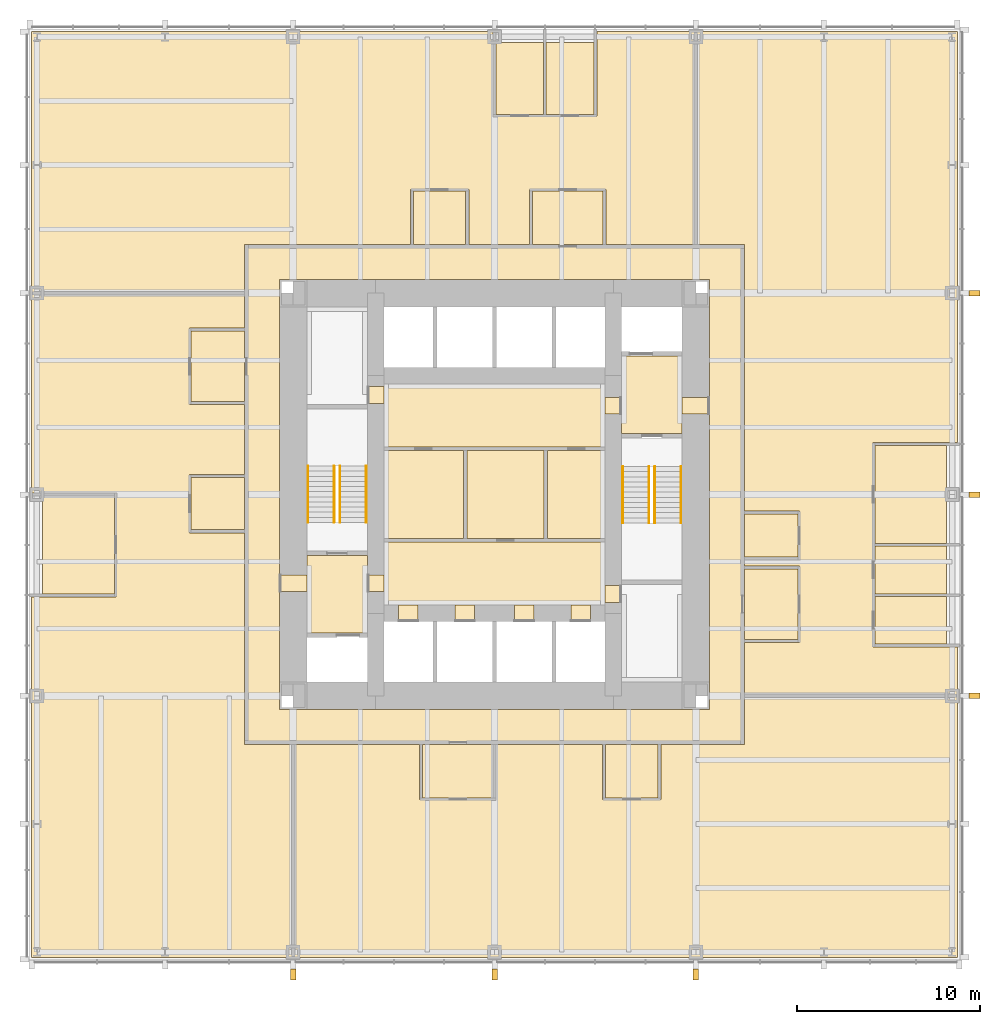
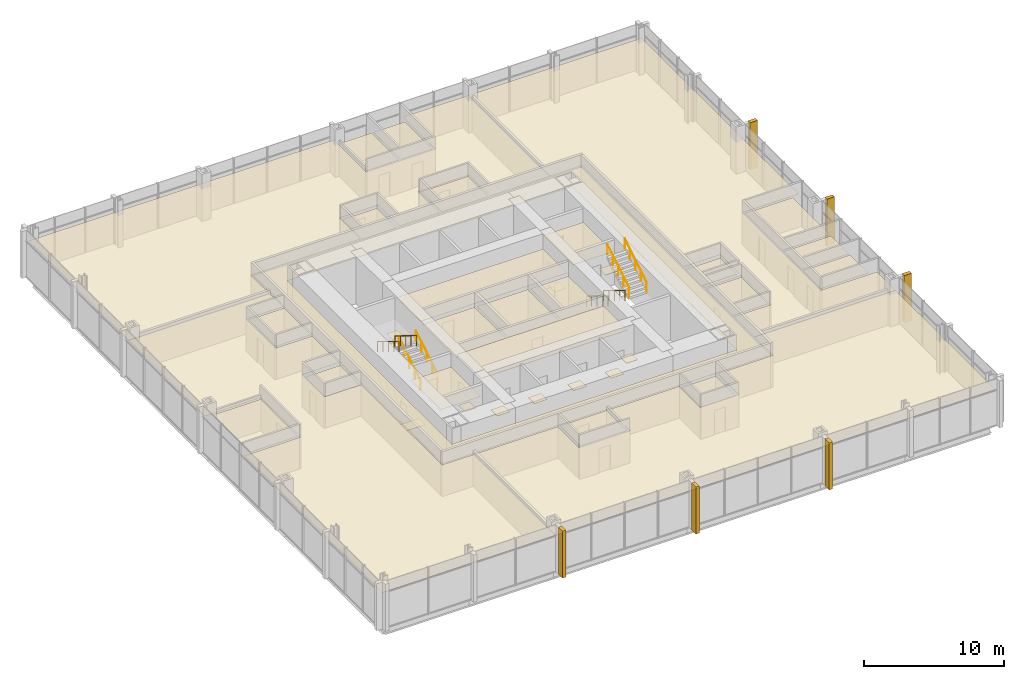
# One storey, part 12 of 12: 42 coverings, 8 railings.
"""IFC4 building model written with IfcOpenShell, lengths in metres."""

from ifc_helpers import new_model, si_unit, direction, frame, origin, origin_2d, place, context, subcontext, project, spatial, polyline, rectangle, circle, outline, extrude, material, layer, layer_set, type_object, element, save


model = new_model("IFC4")

# Units and contexts
model_context = context("Model", 3, precision=1e-05, world=origin(), true_north=direction((0.0, 1.0)))
body_context = subcontext(model_context, "Body", "Model", "MODEL_VIEW")
ifc_project = project(units=[si_unit("LENGTHUNIT", "METRE"), si_unit("AREAUNIT", "SQUARE_METRE"), si_unit("VOLUMEUNIT", "CUBIC_METRE"), si_unit("PLANEANGLEUNIT", "RADIAN"), si_unit("MASSUNIT", "GRAM", prefix="KILO")], contexts=[model_context])

# Site, building, storey
site_placement = place(None, origin())
site = spatial("IfcSite", under=ifc_project, at=site_placement, CompositionType="ELEMENT")
building_placement = place(site_placement, origin())
building = spatial("IfcBuilding", under=site, at=building_placement, Name="Trevanion Tower", CompositionType="ELEMENT")
storey_placement = place(building_placement, frame((0.0, 0.0, 20.10009765625)))
storey = spatial("IfcBuildingStorey", under=building, at=storey_placement, Name="L04", CompositionType="ELEMENT", Elevation=20.10009765625)

# Coverings
ifc_material_1 = material(Name="Fibrous plaster coffers on suspended steel grid", Category="steel")
ifc_layer_1 = layer(ifc_material_1, 0.050048828125)
ifc_layer_set_1 = layer_set([ifc_layer_1], Name="CL1 coffered fibrous plaster ceiling 50")
covering_type_1 = type_object("IfcCoveringType", Name="CL1 coffered fibrous plaster ceiling 50", PredefinedType="CEILING", material=ifc_layer_set_1)
covering_1_placement = place(storey_placement, frame((0.0, 0.0, 3.0)))
element("IfcCovering", 1, at=covering_1_placement, inside=storey, type_object=covering_type_1, Name="CL1 L04-LBS", PredefinedType="CEILING", context=body_context, shape_type="SweptSolid", body=[
    extrude(outline(polyline([(6.050048828125, -6.050048828125), (6.050048828125, -2.60009765625), (-6.050048828125, -2.60009765625), (-6.050048828125, -6.050048828125), (6.050048828125, -6.050048828125)])), origin(), (0.0, 0.0, 1.0), 0.0498046875),
])
ifc_material_2 = material(Name="Mineral fibre acoustic tiles in exposed grid", Category="mineral fibre")
ifc_layer_2 = layer(ifc_material_2, 0.02001953125)
ifc_layer_set_2 = layer_set([ifc_layer_2], Name="CL2 acoustic tile ceiling 20")
covering_type_2 = type_object("IfcCoveringType", Name="CL2 acoustic tile ceiling 20", PredefinedType="CEILING", material=ifc_layer_set_2)
covering_2_placement = place(storey_placement, frame((0.0, 0.0, 2.75)))
element("IfcCovering", 2, at=covering_2_placement, inside=storey, type_object=covering_type_2, Name="CL2 L04-LBN", PredefinedType="CEILING", context=body_context, shape_type="SweptSolid", body=[
    extrude(outline(polyline([(6.050048828125, 2.60009765625), (6.050048828125, 6.050048828125), (-6.050048828125, 6.050048828125), (-6.050048828125, 2.60009765625), (6.050048828125, 2.60009765625)])), origin(), (0.0, 0.0, 1.0), 0.02001953125),
])
covering_3_placement = place(storey_placement, frame((0.0, 0.0, 2.75)))
element("IfcCovering", 3, at=covering_3_placement, inside=storey, type_object=covering_type_2, Name="CL2 L04-CO", PredefinedType="CEILING", context=body_context, shape_type="SweptSolid", body=[
    extrude(outline(polyline([(-13.550048828125, 13.550048828125), (13.550048828125, 13.550048828125), (13.550048828125, -13.550048828125), (-13.550048828125, -13.550048828125), (-13.550048828125, 13.550048828125)]), holes=[polyline([(-11.75, 11.75), (-11.75, -11.75), (11.75, -11.75), (11.75, 11.75), (-11.75, 11.75)])]), origin(), (0.0, 0.0, 1.0), 0.02001953125),
])
covering_4_placement = place(storey_placement, frame((0.0, 0.0, 2.75)))
element("IfcCovering", 4, at=covering_4_placement, inside=storey, type_object=covering_type_2, Name="CL2 L04-OF", PredefinedType="CEILING", context=body_context, shape_type="SweptSolid", body=[
    extrude(outline(polyline([(20.77490234375, -8.175048828125), (20.77490234375, -5.574951171875), (24.699951171875, -5.574951171875), (24.699951171875, -8.175048828125), (20.77490234375, -8.175048828125)])), origin(), (0.0, 0.0, 1.0), 0.02001953125),
])
covering_5_placement = place(storey_placement, frame((0.0, 0.0, 2.75)))
element("IfcCovering", 5, at=covering_5_placement, inside=storey, type_object=covering_type_2, Name="CL2 L04-OF2", PredefinedType="CEILING", context=body_context, shape_type="SweptSolid", body=[
    extrude(outline(polyline([(20.77490234375, -5.425048828125), (20.77490234375, -2.824951171875), (24.699951171875, -2.824951171875), (24.699951171875, -5.425048828125), (20.77490234375, -5.425048828125)])), origin(), (0.0, 0.0, 1.0), 0.02001953125),
])
covering_6_placement = place(storey_placement, frame((0.0, 0.0, 2.75)))
element("IfcCovering", 6, at=covering_6_placement, inside=storey, type_object=covering_type_2, Name="CL2 L04-MR", PredefinedType="CEILING", context=body_context, shape_type="SweptSolid", body=[
    extrude(outline(polyline([(20.77490234375, -2.675048828125), (20.77490234375, 2.675048828125), (24.699951171875, 2.675048828125), (24.699951171875, -2.675048828125), (20.77490234375, -2.675048828125)])), origin(), (0.0, 0.0, 1.0), 0.02001953125),
])
covering_7_placement = place(storey_placement, frame((0.0, 0.0, 2.75)))
element("IfcCovering", 7, at=covering_7_placement, inside=storey, type_object=covering_type_2, Name="CL2 L04-OF3", PredefinedType="CEILING", context=body_context, shape_type="SweptSolid", body=[
    extrude(outline(polyline([(5.425048828125, 20.77490234375), (2.824951171875, 20.77490234375), (2.824951171875, 24.699951171875), (5.425048828125, 24.699951171875), (5.425048828125, 20.77490234375)])), origin(), (0.0, 0.0, 1.0), 0.02001953125),
])
covering_8_placement = place(storey_placement, frame((0.0, 0.0, 2.75)))
element("IfcCovering", 8, at=covering_8_placement, inside=storey, type_object=covering_type_2, Name="CL2 L04-OF4", PredefinedType="CEILING", context=body_context, shape_type="SweptSolid", body=[
    extrude(outline(polyline([(2.675048828125, 20.77490234375), (0.074951171875, 20.77490234375), (0.074951171875, 24.699951171875), (2.675048828125, 24.699951171875), (2.675048828125, 20.77490234375)])), origin(), (0.0, 0.0, 1.0), 0.02001953125),
])
covering_9_placement = place(storey_placement, frame((0.0, 0.0, 2.75)))
element("IfcCovering", 9, at=covering_9_placement, inside=storey, type_object=covering_type_2, Name="CL2 L04-MR2", PredefinedType="CEILING", context=body_context, shape_type="SweptSolid", body=[
    extrude(outline(polyline([(-20.77490234375, -0.074951171875), (-20.77490234375, -5.425048828125), (-24.699951171875, -5.425048828125), (-24.699951171875, -0.074951171875), (-20.77490234375, -0.074951171875)])), origin(), (0.0, 0.0, 1.0), 0.02001953125),
])
covering_10_placement = place(storey_placement, frame((0.0, 0.0, 2.75)))
element("IfcCovering", 10, at=covering_10_placement, inside=storey, type_object=covering_type_2, Name="CL2 L04-RC", PredefinedType="CEILING", context=body_context, shape_type="SweptSolid", body=[
    extrude(outline(polyline([(13.64990234375, -7.925048828125), (13.64990234375, -4.074951171875), (16.574951171875, -4.074951171875), (16.574951171875, -7.925048828125), (13.64990234375, -7.925048828125)])), origin(), (0.0, 0.0, 1.0), 0.02001953125),
])
covering_11_placement = place(storey_placement, frame((0.0, 0.0, 2.75)))
element("IfcCovering", 11, at=covering_11_placement, inside=storey, type_object=covering_type_2, Name="CL2 L04-RC2", PredefinedType="CEILING", context=body_context, shape_type="SweptSolid", body=[
    extrude(outline(polyline([(5.925048828125, 13.64990234375), (2.074951171875, 13.64990234375), (2.074951171875, 16.574951171875), (5.925048828125, 16.574951171875), (5.925048828125, 13.64990234375)])), origin(), (0.0, 0.0, 1.0), 0.02001953125),
])
covering_12_placement = place(storey_placement, frame((0.0, 0.0, 2.75)))
element("IfcCovering", 12, at=covering_12_placement, inside=storey, type_object=covering_type_2, Name="CL2 L04-RC3", PredefinedType="CEILING", context=body_context, shape_type="SweptSolid", body=[
    extrude(outline(polyline([(-13.64990234375, 8.925048828125), (-13.64990234375, 5.074951171875), (-16.574951171875, 5.074951171875), (-16.574951171875, 8.925048828125), (-13.64990234375, 8.925048828125)])), origin(), (0.0, 0.0, 1.0), 0.02001953125),
])
covering_13_placement = place(storey_placement, frame((0.0, 0.0, 2.75)))
element("IfcCovering", 13, at=covering_13_placement, inside=storey, type_object=covering_type_2, Name="CL2 L04-RC4", PredefinedType="CEILING", context=body_context, shape_type="SweptSolid", body=[
    extrude(outline(polyline([(-3.925048828125, -13.64990234375), (-0.074951171875, -13.64990234375), (-0.074951171875, -16.574951171875), (-3.925048828125, -16.574951171875), (-3.925048828125, -13.64990234375)])), origin(), (0.0, 0.0, 1.0), 0.02001953125),
])
covering_14_placement = place(storey_placement, frame((0.0, 0.0, 2.75)))
element("IfcCovering", 14, at=covering_14_placement, inside=storey, type_object=covering_type_2, Name="CL2 L04-OP", PredefinedType="CEILING", context=body_context, shape_type="SweptSolid", body=[
    extrude(outline(polyline([(13.64990234375, -8.094970703125), (16.669921875, -8.094970703125), (16.669921875, -3.905029296875), (13.64990234375, -3.905029296875), (13.64990234375, -3.594970703125), (16.669921875, -3.594970703125), (16.669921875, -0.905029296875), (13.64990234375, -0.905029296875), (13.64990234375, 13.64990234375), (11.0, 13.64990234375), (11.0, 25.300048828125), (25.300048828125, 25.300048828125), (25.300048828125, 2.844970703125), (20.679931640625, 2.844970703125), (20.679931640625, -8.344970703125), (25.300048828125, -8.344970703125), (25.300048828125, -11.0), (13.64990234375, -11.0), (13.64990234375, -8.094970703125)])), origin(), (0.0, 0.0, 1.0), 0.02001953125),
])
covering_15_placement = place(storey_placement, frame((0.0, 0.0, 2.75)))
element("IfcCovering", 15, at=covering_15_placement, inside=storey, type_object=covering_type_2, Name="CL2 L04-OP2", PredefinedType="CEILING", context=body_context, shape_type="SweptSolid", body=[
    extrude(outline(polyline([(6.094970703125, 13.64990234375), (6.094970703125, 16.669921875), (1.905029296875, 16.669921875), (1.905029296875, 13.64990234375), (-1.405029296875, 13.64990234375), (-1.405029296875, 16.669921875), (-4.594970703125, 16.669921875), (-4.594970703125, 13.64990234375), (-13.64990234375, 13.64990234375), (-13.64990234375, 11.0), (-25.300048828125, 11.0), (-25.300048828125, 25.300048828125), (-0.094970703125, 25.300048828125), (-0.094970703125, 20.679931640625), (5.594970703125, 20.679931640625), (5.594970703125, 25.300048828125), (11.0, 25.300048828125), (11.0, 13.64990234375), (6.094970703125, 13.64990234375)])), origin(), (0.0, 0.0, 1.0), 0.02001953125),
])
covering_16_placement = place(storey_placement, frame((0.0, 0.0, 2.75)))
element("IfcCovering", 16, at=covering_16_placement, inside=storey, type_object=covering_type_2, Name="CL2 L04-OP3", PredefinedType="CEILING", context=body_context, shape_type="SweptSolid", body=[
    extrude(outline(polyline([(-13.64990234375, 9.094970703125), (-16.669921875, 9.094970703125), (-16.669921875, 4.905029296875), (-13.64990234375, 4.905029296875), (-13.64990234375, 1.094970703125), (-16.669921875, 1.094970703125), (-16.669921875, -2.094970703125), (-13.64990234375, -2.094970703125), (-13.64990234375, -13.64990234375), (-11.0, -13.64990234375), (-11.0, -25.300048828125), (-25.300048828125, -25.300048828125), (-25.300048828125, -5.594970703125), (-20.679931640625, -5.594970703125), (-20.679931640625, 0.094970703125), (-25.300048828125, 0.094970703125), (-25.300048828125, 11.0), (-13.64990234375, 11.0), (-13.64990234375, 9.094970703125)])), origin(), (0.0, 0.0, 1.0), 0.02001953125),
])
covering_17_placement = place(storey_placement, frame((0.0, 0.0, 2.75)))
element("IfcCovering", 17, at=covering_17_placement, inside=storey, type_object=covering_type_2, Name="CL2 L04-OP4", PredefinedType="CEILING", context=body_context, shape_type="SweptSolid", body=[
    extrude(outline(polyline([(-4.094970703125, -13.64990234375), (-4.094970703125, -16.669921875), (0.094970703125, -16.669921875), (0.094970703125, -13.64990234375), (5.905029296875, -13.64990234375), (5.905029296875, -16.669921875), (9.094970703125, -16.669921875), (9.094970703125, -13.64990234375), (13.64990234375, -13.64990234375), (13.64990234375, -11.0), (25.300048828125, -11.0), (25.300048828125, -25.300048828125), (-11.0, -25.300048828125), (-11.0, -13.64990234375), (-4.094970703125, -13.64990234375)])), origin(), (0.0, 0.0, 1.0), 0.02001953125),
])
ifc_material_3 = material(Name="Gypsum plasterboard on suspended metal furring", Category="gypsum")
ifc_layer_3 = layer(ifc_material_3, 0.012939453125)
ifc_layer_set_3 = layer_set([ifc_layer_3], Name="CL3 plasterboard ceiling 13")
covering_type_3 = type_object("IfcCoveringType", Name="CL3 plasterboard ceiling 13", PredefinedType="CEILING", material=ifc_layer_set_3)
covering_18_placement = place(storey_placement, frame((0.0, 0.0, 2.699951171875)))
element("IfcCovering", 18, at=covering_18_placement, inside=storey, type_object=covering_type_3, Name="CL3 L04-FV1", PredefinedType="CEILING", context=body_context, shape_type="SweptSolid", body=[
    extrude(outline(polyline([(10.25, 3.324951171875), (10.25, 7.574951171875), (6.949951171875, 7.574951171875), (6.949951171875, 3.324951171875), (10.25, 3.324951171875)])), origin(), (0.0, 0.0, 1.0), 0.012939453125),
])
covering_19_placement = place(storey_placement, frame((0.0, 0.0, 2.699951171875)))
element("IfcCovering", 19, at=covering_19_placement, inside=storey, type_object=covering_type_3, Name="CL3 L04-FV2", PredefinedType="CEILING", context=body_context, shape_type="SweptSolid", body=[
    extrude(outline(polyline([(-10.25, -3.324951171875), (-10.25, -7.574951171875), (-6.949951171875, -7.574951171875), (-6.949951171875, -3.324951171875), (-10.25, -3.324951171875)])), origin(), (0.0, 0.0, 1.0), 0.012939453125),
])
ifc_material_4 = material(Name="Moisture-resistant gypsum board on suspended metal furring", Category="gypsum")
ifc_layer_4 = layer(ifc_material_4, 0.01611328125)
ifc_layer_set_4 = layer_set([ifc_layer_4], Name="CL4 moisture-resistant board ceiling 16")
covering_type_4 = type_object("IfcCoveringType", Name="CL4 moisture-resistant board ceiling 16", PredefinedType="CEILING", material=ifc_layer_set_4)
covering_20_placement = place(storey_placement, frame((0.0, 0.0, 2.599853515625)))
element("IfcCovering", 20, at=covering_20_placement, inside=storey, type_object=covering_type_4, Name="CL4 L04-WCF", PredefinedType="CEILING", context=body_context, shape_type="SweptSolid", body=[
    extrude(outline(polyline([(-1.699951171875, -2.39990234375), (-1.699951171875, 2.39990234375), (-6.050048828125, 2.39990234375), (-6.050048828125, -2.39990234375), (-1.699951171875, -2.39990234375)])), origin(), (0.0, 0.0, 1.0), 0.01611328125),
])
covering_21_placement = place(storey_placement, frame((0.0, 0.0, 2.599853515625)))
element("IfcCovering", 21, at=covering_21_placement, inside=storey, type_object=covering_type_4, Name="CL4 L04-WCM", PredefinedType="CEILING", context=body_context, shape_type="SweptSolid", body=[
    extrude(outline(polyline([(2.699951171875, -2.39990234375), (2.699951171875, 2.39990234375), (-1.5, 2.39990234375), (-1.5, -2.39990234375), (2.699951171875, -2.39990234375)])), origin(), (0.0, 0.0, 1.0), 0.01611328125),
])
covering_22_placement = place(storey_placement, frame((0.0, 0.0, 2.599853515625)))
element("IfcCovering", 22, at=covering_22_placement, inside=storey, type_object=covering_type_4, Name="CL4 L04-WCA", PredefinedType="CEILING", context=body_context, shape_type="SweptSolid", body=[
    extrude(outline(polyline([(6.050048828125, -2.39990234375), (6.050048828125, 2.39990234375), (2.89990234375, 2.39990234375), (2.89990234375, -2.39990234375), (6.050048828125, -2.39990234375)])), origin(), (0.0, 0.0, 1.0), 0.01611328125),
])
covering_23_placement = place(storey_placement, frame((0.0, 0.0, 2.599853515625)))
element("IfcCovering", 23, at=covering_23_placement, inside=storey, type_object=covering_type_4, Name="CL4 L04-PA", PredefinedType="CEILING", context=body_context, shape_type="SweptSolid", body=[
    extrude(outline(polyline([(13.64990234375, -3.425048828125), (13.64990234375, -1.074951171875), (16.574951171875, -1.074951171875), (16.574951171875, -3.425048828125), (13.64990234375, -3.425048828125)])), origin(), (0.0, 0.0, 1.0), 0.01611328125),
])
covering_24_placement = place(storey_placement, frame((0.0, 0.0, 2.599853515625)))
element("IfcCovering", 24, at=covering_24_placement, inside=storey, type_object=covering_type_4, Name="CL4 L04-PA2", PredefinedType="CEILING", context=body_context, shape_type="SweptSolid", body=[
    extrude(outline(polyline([(-1.574951171875, 13.64990234375), (-4.425048828125, 13.64990234375), (-4.425048828125, 16.574951171875), (-1.574951171875, 16.574951171875), (-1.574951171875, 13.64990234375)])), origin(), (0.0, 0.0, 1.0), 0.01611328125),
])
covering_25_placement = place(storey_placement, frame((0.0, 0.0, 2.599853515625)))
element("IfcCovering", 25, at=covering_25_placement, inside=storey, type_object=covering_type_4, Name="CL4 L04-PA3", PredefinedType="CEILING", context=body_context, shape_type="SweptSolid", body=[
    extrude(outline(polyline([(-13.64990234375, 0.925048828125), (-13.64990234375, -1.925048828125), (-16.574951171875, -1.925048828125), (-16.574951171875, 0.925048828125), (-13.64990234375, 0.925048828125)])), origin(), (0.0, 0.0, 1.0), 0.01611328125),
])
covering_26_placement = place(storey_placement, frame((0.0, 0.0, 2.599853515625)))
element("IfcCovering", 26, at=covering_26_placement, inside=storey, type_object=covering_type_4, Name="CL4 L04-PA4", PredefinedType="CEILING", context=body_context, shape_type="SweptSolid", body=[
    extrude(outline(polyline([(6.074951171875, -13.64990234375), (8.925048828125, -13.64990234375), (8.925048828125, -16.574951171875), (6.074951171875, -16.574951171875), (6.074951171875, -13.64990234375)])), origin(), (0.0, 0.0, 1.0), 0.01611328125),
])
ifc_material_5 = material(Name="Cast bronze fin on aluminium carrier", Category="aluminium")
covering_type_5 = type_object("IfcCoveringType", Name="F1 bronze fin", PredefinedType="CLADDING", material=ifc_material_5)
for number, where, z_axis, x_axis, name in (
    (27, (26.22509765625, -11.0, -0.190185546875), (0.0, 0.0, 1.0), (0.0, 1.0, 0.0), "F1 L04 east -11.0"),
    (28, (26.22509765625, 0.0, -0.190185546875), (0.0, 0.0, 1.0), (0.0, 1.0, 0.0), "F1 L04 east +0.0"),
    (29, (26.22509765625, 11.0, -0.190185546875), (0.0, 0.0, 1.0), (0.0, 1.0, 0.0), "F1 L04 east +11.0"),
    (30, (-11.0, -26.22509765625, -0.190185546875), (0.0, 0.0, 1.0), (1.0, 0.0, 0.0), "F1 L04 south -11.0"),
    (31, (0.0, -26.22509765625, -0.190185546875), (0.0, 0.0, 1.0), (1.0, 0.0, 0.0), "F1 L04 south +0.0"),
    (32, (11.0, -26.22509765625, -0.190185546875), (0.0, 0.0, 1.0), (1.0, 0.0, 0.0), "F1 L04 south +11.0"),
):
    element("IfcCovering", number, at=place(storey_placement, frame(where, z_axis=z_axis, x_axis=x_axis)), inside=storey, type_object=covering_type_5, Name=name, PredefinedType="CLADDING", context=body_context, shape_type="SweptSolid", body=[
        extrude(rectangle(XDim=0.300048828125, YDim=0.60009765625, at=origin_2d()), origin(), (0.0, 0.0, 1.0), 4.10009765625),
    ])
ifc_material_6 = material(Name="Terrazzo, brass divider strips", Category="stone")
ifc_layer_5 = layer(ifc_material_6, 0.02001953125)
ifc_layer_set_5 = layer_set([ifc_layer_5], Name="FF1 terrazzo flooring")
covering_type_6 = type_object("IfcCoveringType", Name="FF1 terrazzo flooring", PredefinedType="FLOORING", material=ifc_layer_set_5)
covering_27_placement = place(storey_placement, origin())
element("IfcCovering", 33, at=covering_27_placement, inside=storey, type_object=covering_type_6, Name="FF1 threshold 04-001", PredefinedType="FLOORING", context=body_context, shape_type="SweptSolid", body=[
    extrude(outline(polyline([(11.75, 4.392578125), (11.75, 5.3076171875), (10.25, 5.3076171875), (10.25, 4.392578125), (11.75, 4.392578125)])), origin(), (0.0, 0.0, 1.0), 0.02001953125),
])
covering_28_placement = place(storey_placement, origin())
element("IfcCovering", 34, at=covering_28_placement, inside=storey, type_object=covering_type_6, Name="FF1 threshold 04-002", PredefinedType="FLOORING", context=body_context, shape_type="SweptSolid", body=[
    extrude(outline(polyline([(-11.75, -4.392578125), (-11.75, -5.3076171875), (-10.25, -5.3076171875), (-10.25, -4.392578125), (-11.75, -4.392578125)])), origin(), (0.0, 0.0, 1.0), 0.02001953125),
])
covering_29_placement = place(storey_placement, origin())
element("IfcCovering", 35, at=covering_29_placement, inside=storey, type_object=covering_type_6, Name="FF1 threshold 04-003", PredefinedType="FLOORING", context=body_context, shape_type="SweptSolid", body=[
    extrude(outline(polyline([(6.949951171875, 4.392578125), (6.949951171875, 5.3076171875), (6.050048828125, 5.3076171875), (6.050048828125, 4.392578125), (6.949951171875, 4.392578125)])), origin(), (0.0, 0.0, 1.0), 0.02001953125),
])
covering_30_placement = place(storey_placement, origin())
element("IfcCovering", 36, at=covering_30_placement, inside=storey, type_object=covering_type_6, Name="FF1 threshold 04-004", PredefinedType="FLOORING", context=body_context, shape_type="SweptSolid", body=[
    extrude(outline(polyline([(-6.949951171875, -4.392578125), (-6.949951171875, -5.3076171875), (-6.050048828125, -5.3076171875), (-6.050048828125, -4.392578125), (-6.949951171875, -4.392578125)])), origin(), (0.0, 0.0, 1.0), 0.02001953125),
])
covering_31_placement = place(storey_placement, origin())
element("IfcCovering", 37, at=covering_31_placement, inside=storey, type_object=covering_type_6, Name="FF1 threshold 04-009", PredefinedType="FLOORING", context=body_context, shape_type="SweptSolid", body=[
    extrude(outline(polyline([(6.949951171875, -5.889892578125), (6.949951171875, -4.97509765625), (6.050048828125, -4.97509765625), (6.050048828125, -5.889892578125), (6.949951171875, -5.889892578125)])), origin(), (0.0, 0.0, 1.0), 0.02001953125),
])
covering_32_placement = place(storey_placement, origin())
element("IfcCovering", 38, at=covering_32_placement, inside=storey, type_object=covering_type_6, Name="FF1 threshold 04-010", PredefinedType="FLOORING", context=body_context, shape_type="SweptSolid", body=[
    extrude(outline(polyline([(-6.949951171875, 5.889892578125), (-6.949951171875, 4.97509765625), (-6.050048828125, 4.97509765625), (-6.050048828125, 5.889892578125), (-6.949951171875, 5.889892578125)])), origin(), (0.0, 0.0, 1.0), 0.02001953125),
])
covering_33_placement = place(storey_placement, origin())
element("IfcCovering", 39, at=covering_33_placement, inside=storey, type_object=covering_type_6, Name="FF1 threshold 04-011", PredefinedType="FLOORING", context=body_context, shape_type="SweptSolid", body=[
    extrude(outline(polyline([(-5.2333984375, -6.949951171875), (-4.16650390625, -6.949951171875), (-4.16650390625, -6.050048828125), (-5.2333984375, -6.050048828125), (-5.2333984375, -6.949951171875)])), origin(), (0.0, 0.0, 1.0), 0.02001953125),
])
covering_34_placement = place(storey_placement, origin())
element("IfcCovering", 40, at=covering_34_placement, inside=storey, type_object=covering_type_6, Name="FF1 threshold 04-012", PredefinedType="FLOORING", context=body_context, shape_type="SweptSolid", body=[
    extrude(outline(polyline([(-2.158447265625, -6.949951171875), (-1.091552734375, -6.949951171875), (-1.091552734375, -6.050048828125), (-2.158447265625, -6.050048828125), (-2.158447265625, -6.949951171875)])), origin(), (0.0, 0.0, 1.0), 0.02001953125),
])
covering_35_placement = place(storey_placement, origin())
element("IfcCovering", 41, at=covering_35_placement, inside=storey, type_object=covering_type_6, Name="FF1 threshold 04-013", PredefinedType="FLOORING", context=body_context, shape_type="SweptSolid", body=[
    extrude(outline(polyline([(1.091552734375, -6.949951171875), (2.158447265625, -6.949951171875), (2.158447265625, -6.050048828125), (1.091552734375, -6.050048828125), (1.091552734375, -6.949951171875)])), origin(), (0.0, 0.0, 1.0), 0.02001953125),
])
covering_36_placement = place(storey_placement, origin())
element("IfcCovering", 42, at=covering_36_placement, inside=storey, type_object=covering_type_6, Name="FF1 threshold 04-014", PredefinedType="FLOORING", context=body_context, shape_type="SweptSolid", body=[
    extrude(outline(polyline([(4.16650390625, -6.949951171875), (5.2333984375, -6.949951171875), (5.2333984375, -6.050048828125), (4.16650390625, -6.050048828125), (4.16650390625, -6.949951171875)])), origin(), (0.0, 0.0, 1.0), 0.02001953125),
])

# Railings
ifc_material_7 = material(Name="Stainless steel tube 40 mm", Category="steel")
railing_type = type_object("IfcRailingType", Name="HR1 handrail", PredefinedType="HANDRAIL", material=ifc_material_7)
for number, where, name in (
    (43, (7.010009765625, 1.52490234375, 0.170654296875), "HR1 ST1 L04 flight 1"),
    (44, (8.43994140625, 1.52490234375, 0.170654296875), "HR1 ST1 L04 flight 1"),
):
    element("IfcRailing", number, at=place(storey_placement, frame(where)), inside=storey, type_object=railing_type, Name=name, PredefinedType="HANDRAIL", context=body_context, shape_type="SweptSolid", body=[
        extrude(circle(Radius=0.02001953125, at=origin_2d()), frame((0.0, 0.0, 0.8798828125), z_axis=(0.0, -0.853647949592, 0.520850437417), x_axis=(1.0, 0.0, 0.0)), (0.0, 0.0, 1.0), 3.60791015625),
        extrude(circle(Radius=0.01513671875, at=origin_2d()), origin(), (0.0, 0.0, 1.0), 0.85986328125),
        extrude(circle(Radius=0.01513671875, at=origin_2d()), frame((0.0, -0.77001953125, 0.4697265625)), (0.0, 0.0, 1.0), 0.85986328125),
        extrude(circle(Radius=0.01513671875, at=origin_2d()), frame((0.0, -1.5400390625, 0.939453125)), (0.0, 0.0, 1.0), 0.85986328125),
        extrude(circle(Radius=0.01513671875, at=origin_2d()), frame((0.0, -2.309814453125, 1.409423828125)), (0.0, 0.0, 1.0), 0.85986328125),
        extrude(circle(Radius=0.01513671875, at=origin_2d()), frame((0.0, -3.079833984375, 1.879150390625)), (0.0, 0.0, 1.0), 0.85986328125),
    ])
for number, where, name in (
    (45, (8.760009765625, -1.554931640625, 2.220703125), "HR1 ST1 L04 flight 2"),
    (46, (10.18994140625, -1.554931640625, 2.220703125), "HR1 ST1 L04 flight 2"),
    (47, (-7.010009765625, -1.52490234375, 0.170654296875), "HR1 ST2 L04 flight 1"),
    (48, (-8.43994140625, -1.52490234375, 0.170654296875), "HR1 ST2 L04 flight 1"),
):
    element("IfcRailing", number, at=place(storey_placement, frame(where)), inside=storey, type_object=railing_type, Name=name, PredefinedType="HANDRAIL", context=body_context, shape_type="SweptSolid", body=[
        extrude(circle(Radius=0.02001953125, at=origin_2d()), frame((0.0, 0.0, 0.8798828125), z_axis=(0.0, 0.853647949592, 0.520850437417), x_axis=(-1.0, 0.0, 0.0)), (0.0, 0.0, 1.0), 3.60791015625),
        extrude(circle(Radius=0.01513671875, at=origin_2d()), origin(), (0.0, 0.0, 1.0), 0.85986328125),
        extrude(circle(Radius=0.01513671875, at=origin_2d()), frame((0.0, 0.77001953125, 0.4697265625)), (0.0, 0.0, 1.0), 0.85986328125),
        extrude(circle(Radius=0.01513671875, at=origin_2d()), frame((0.0, 1.5400390625, 0.939453125)), (0.0, 0.0, 1.0), 0.85986328125),
        extrude(circle(Radius=0.01513671875, at=origin_2d()), frame((0.0, 2.309814453125, 1.409423828125)), (0.0, 0.0, 1.0), 0.85986328125),
        extrude(circle(Radius=0.01513671875, at=origin_2d()), frame((0.0, 3.079833984375, 1.879150390625)), (0.0, 0.0, 1.0), 0.85986328125),
    ])
for number, where, name in (
    (49, (-8.760009765625, 1.554931640625, 2.220703125), "HR1 ST2 L04 flight 2"),
    (50, (-10.18994140625, 1.554931640625, 2.220703125), "HR1 ST2 L04 flight 2"),
):
    element("IfcRailing", number, at=place(storey_placement, frame(where)), inside=storey, type_object=railing_type, Name=name, PredefinedType="HANDRAIL", context=body_context, shape_type="SweptSolid", body=[
        extrude(circle(Radius=0.02001953125, at=origin_2d()), frame((0.0, 0.0, 0.8798828125), z_axis=(0.0, -0.853647949592, 0.520850437417), x_axis=(1.0, 0.0, 0.0)), (0.0, 0.0, 1.0), 3.60791015625),
        extrude(circle(Radius=0.01513671875, at=origin_2d()), origin(), (0.0, 0.0, 1.0), 0.85986328125),
        extrude(circle(Radius=0.01513671875, at=origin_2d()), frame((0.0, -0.77001953125, 0.4697265625)), (0.0, 0.0, 1.0), 0.85986328125),
        extrude(circle(Radius=0.01513671875, at=origin_2d()), frame((0.0, -1.5400390625, 0.939453125)), (0.0, 0.0, 1.0), 0.85986328125),
        extrude(circle(Radius=0.01513671875, at=origin_2d()), frame((0.0, -2.309814453125, 1.409423828125)), (0.0, 0.0, 1.0), 0.85986328125),
        extrude(circle(Radius=0.01513671875, at=origin_2d()), frame((0.0, -3.079833984375, 1.879150390625)), (0.0, 0.0, 1.0), 0.85986328125),
    ])

save(model, "model.ifc")
